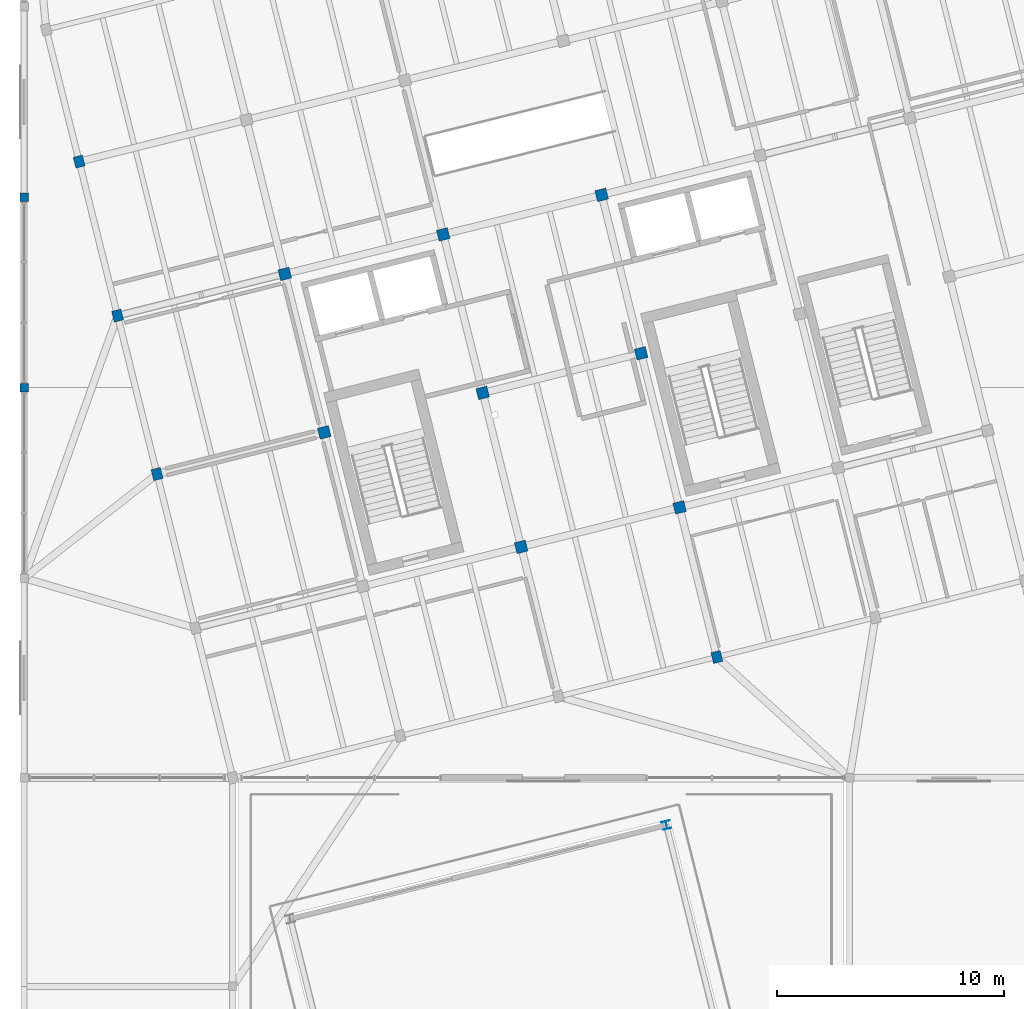
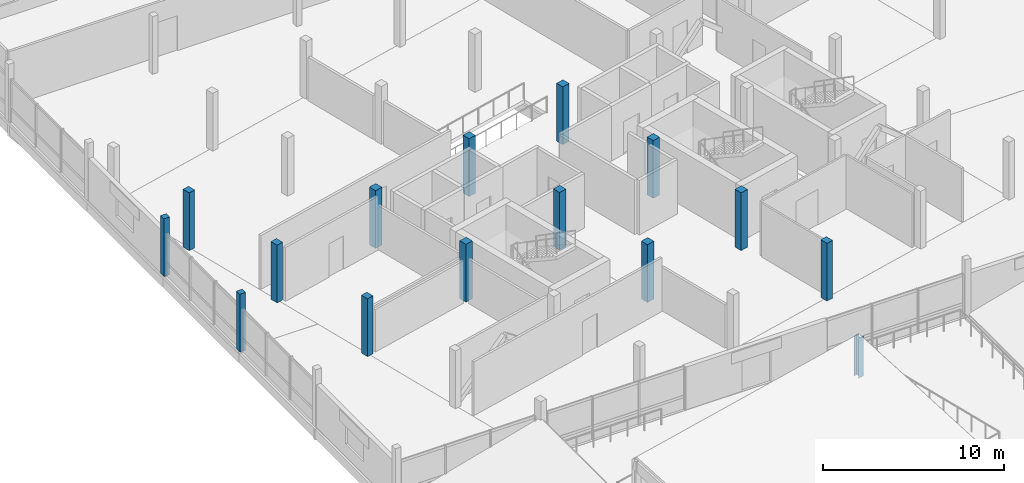
# One storey, part 3 of 39: 15 columns.
"""IFC4 building model written with IfcOpenShell, lengths in metres."""

from ifc_helpers import new_model, si_unit, direction, frame, origin, origin_2d, place, context, subcontext, project, spatial, rectangle, i_section, extrude, material, material_profile, profile_set, type_object, element, save


model = new_model("IFC4")

# Units and contexts
model_context = context("Model", 3, precision=1e-05, world=origin(), true_north=direction((0.0, 1.0)))
body_context = subcontext(model_context, "Body", "Model", "MODEL_VIEW")
ifc_project = project(units=[si_unit("LENGTHUNIT", "METRE"), si_unit("AREAUNIT", "SQUARE_METRE"), si_unit("VOLUMEUNIT", "CUBIC_METRE"), si_unit("PLANEANGLEUNIT", "RADIAN"), si_unit("MASSUNIT", "GRAM", prefix="KILO")], contexts=[model_context])

# Site, building, storey
site_placement = place(None, origin())
site = spatial("IfcSite", under=ifc_project, at=site_placement, CompositionType="ELEMENT")
building_placement = place(site_placement, origin())
building = spatial("IfcBuilding", under=site, at=building_placement, Name="Meriwether Solvik Hall", CompositionType="ELEMENT")
storey_placement = place(building_placement, frame((0.0, 0.0, 22.199951171875)))
storey = spatial("IfcBuildingStorey", under=building, at=storey_placement, Name="L05", CompositionType="ELEMENT", Elevation=22.199951171875)

# Columns
ifc_material_1 = material(Name="Glulam Douglas-Fir L2 GL28c", Category="wood")
ifc_material_profile_1 = material_profile(ifc_material_1, rectangle(XDim=0.364990234375, YDim=0.364990234375, at=origin_2d()), Name="GLC-365X365")
ifc_profile_set_1 = profile_set([ifc_material_profile_1], Name="Glulam Douglas-Fir L2 GL28c")
column_type_1 = type_object("IfcColumnType", Name="COL-GL-365X365", PredefinedType="COLUMN", material=ifc_profile_set_1)
for number, where, z_axis, x_axis, name in (
    (1, (59.39990234375, 58.39990234375, 0.0), (0.0, 0.0, 1.0), (1.0, 0.0, 0.0), "Podium Column 7/G (L05)"),
    (2, (59.39990234375, 66.800048828125, 0.0), (0.0, 0.0, 1.0), (1.0, 0.0, 0.0), "Podium Column 7/H (L05)"),
):
    element("IfcColumn", number, at=place(storey_placement, frame(where, z_axis=z_axis, x_axis=x_axis)), inside=storey, type_object=column_type_1, Name=name, PredefinedType="COLUMN", context=body_context, shape_type="SweptSolid", body=[
        extrude(rectangle(XDim=0.364990234375, YDim=0.364990234375, at=origin_2d()), origin(), (0.0, 0.0, 1.0), 3.900146484375),
    ])
ifc_material_2 = material(Name="Glulam Douglas-Fir L2 GL28c", Category="wood")
ifc_material_profile_2 = material_profile(ifc_material_2, rectangle(XDim=0.419921875, YDim=0.4951171875, at=origin_2d()), Name="GLC-420X495")
ifc_profile_set_2 = profile_set([ifc_material_profile_2], Name="Glulam Douglas-Fir L2 GL28c")
column_type_2 = type_object("IfcColumnType", Name="COL-GL-420X495", PredefinedType="COLUMN", material=ifc_profile_set_2)
for number, where, z_axis, x_axis, name in (
    (3, (65.261474609375, 54.590087890625, 0.0), (0.0, 0.0, 1.0), (0.970295726276, 0.2419218956, 0.0), "Tower Column T1/TC (L05)"),
    (4, (63.51953125, 61.576171875, 0.0), (0.0, 0.0, 1.0), (0.970295726276, 0.2419218956, 0.0), "Tower Column T1/TD (L05)"),
    (5, (61.826171875, 68.3681640625, 0.0), (0.0, 0.0, 1.0), (0.970295726276, 0.2419218956, 0.0), "Tower Column T1/TE (L05)"),
    (6, (89.946533203125, 46.522216796875, 0.0), (0.0, 0.0, 1.0), (0.970295726276, 0.2419218956, 0.0), "Tower Column T4/TA (L05)"),
):
    element("IfcColumn", number, at=place(storey_placement, frame(where, z_axis=z_axis, x_axis=x_axis)), inside=storey, type_object=column_type_2, Name=name, PredefinedType="COLUMN", context=body_context, shape_type="SweptSolid", body=[
        extrude(rectangle(XDim=0.419921875, YDim=0.4951171875, at=origin_2d()), origin(), (0.0, 0.0, 1.0), 3.900146484375),
    ])
ifc_material_3 = material(Name="Glulam Douglas-Fir L2 GL28c", Category="wood")
ifc_material_profile_3 = material_profile(ifc_material_3, rectangle(XDim=0.4951171875, YDim=0.4951171875, at=origin_2d()), Name="GLC-495X495")
ifc_profile_set_3 = profile_set([ifc_material_profile_3], Name="Glulam Douglas-Fir L2 GL28c")
column_type_3 = type_object("IfcColumnType", Name="COL-GL-495X495", PredefinedType="COLUMN", material=ifc_profile_set_3)
for number, where, z_axis, x_axis, name in (
    (7, (72.6357421875, 56.4287109375, 0.0), (0.0, 0.0, 1.0), (0.970295726276, 0.2419218956, 0.0), "Tower Column T2/TC (L05)"),
    (8, (70.893798828125, 63.414794921875, 0.0), (0.0, 0.0, 1.0), (0.970295726276, 0.2419218956, 0.0), "Tower Column T2/TD (L05)"),
    (9, (81.3154296875, 51.37841796875, 0.0), (0.0, 0.0, 1.0), (0.970295726276, 0.2419218956, 0.0), "Tower Column T3/TB (L05)"),
    (10, (79.621826171875, 58.17041015625, 0.0), (0.0, 0.0, 1.0), (0.970295726276, 0.2419218956, 0.0), "Tower Column T3/TC (L05)"),
    (11, (77.880126953125, 65.15673828125, 0.0), (0.0, 0.0, 1.0), (0.970295726276, 0.2419218956, 0.0), "Tower Column T3/TD (L05)"),
    (12, (88.301513671875, 53.120361328125, 0.0), (0.0, 0.0, 1.0), (0.970295726276, 0.2419218956, 0.0), "Tower Column T4/TB (L05)"),
    (13, (86.60791015625, 59.912353515625, 0.0), (0.0, 0.0, 1.0), (0.970295726276, 0.2419218956, 0.0), "Tower Column T4/TC (L05)"),
    (14, (84.8662109375, 66.8984375, 0.0), (0.0, 0.0, 1.0), (0.970295726276, 0.2419218956, 0.0), "Tower Column T4/TD (L05)"),
):
    element("IfcColumn", number, at=place(storey_placement, frame(where, z_axis=z_axis, x_axis=x_axis)), inside=storey, type_object=column_type_3, Name=name, PredefinedType="COLUMN", context=body_context, shape_type="SweptSolid", body=[
        extrude(rectangle(XDim=0.4951171875, YDim=0.4951171875, at=origin_2d()), origin(), (0.0, 0.0, 1.0), 3.900146484375),
    ])
ifc_material_4 = material(Name="Steel A992 Grade 50", Category="steel")
ifc_material_profile_4 = material_profile(ifc_material_4, i_section(OverallWidth=0.368896484375, OverallDepth=0.35595703125, WebThickness=0.01123046875, FlangeThickness=0.01806640625, at=origin_2d()), Name="W14X90")
ifc_profile_set_4 = profile_set([ifc_material_profile_4], Name="Steel A992 Grade 50")
column_type_4 = type_object("IfcColumnType", Name="COL-STL-W14X90", PredefinedType="COLUMN", material=ifc_profile_set_4)
column_placement = place(storey_placement, frame((87.72265625, 39.1142578125, 0.0), z_axis=(0.0, 0.0, 1.0), x_axis=(0.970295726276, 0.2419218956, 0.0)))
element("IfcColumn", 15, at=column_placement, inside=storey, type_object=column_type_4, Name="Atrium Cleft Corner Column NE (L05)", PredefinedType="COLUMN", context=body_context, shape_type="SweptSolid", body=[
    extrude(i_section(OverallWidth=0.368896484375, OverallDepth=0.35595703125, WebThickness=0.01123046875, FlangeThickness=0.01806640625, at=origin_2d()), origin(), (0.0, 0.0, 1.0), 2.679931640625),
])

save(model, "model.ifc")
